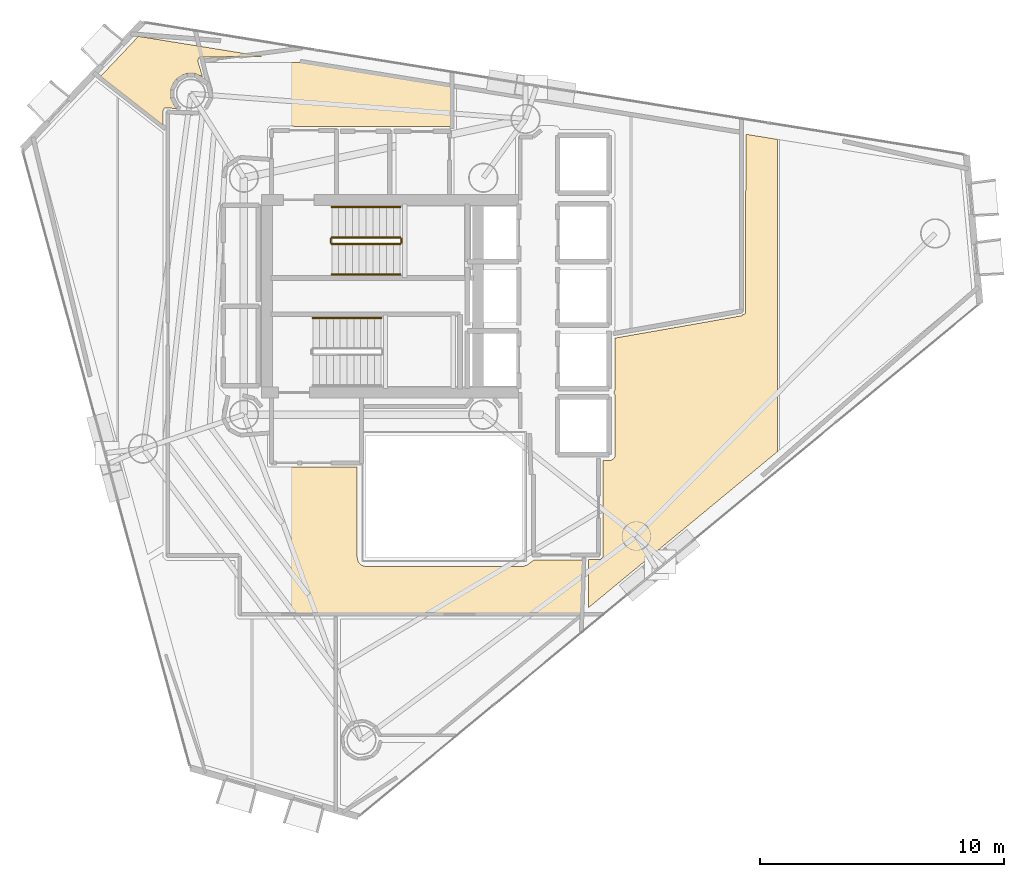
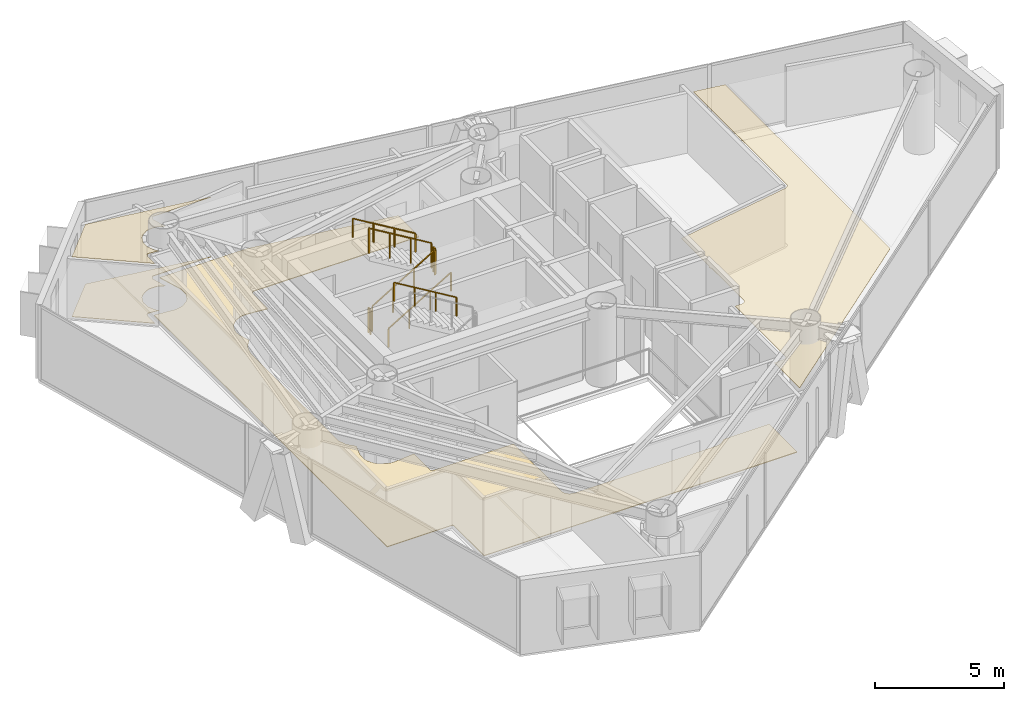
# One storey, part 20 of 21: 7 railings, 4 coverings.
"""IFC4 building model written with IfcOpenShell, lengths in metres."""

from ifc_helpers import new_model, si_unit, direction, frame, origin, origin_2d, place, context, subcontext, project, spatial, polyline, rectangle, outline, extrude, material, layer, layer_set, type_object, element, save


model = new_model("IFC4")

# Units and contexts
model_context = context("Model", 3, precision=1e-05, world=origin(), true_north=direction((0.0, 1.0)))
body_context = subcontext(model_context, "Body", "Model", "MODEL_VIEW")
ifc_project = project(units=[si_unit("LENGTHUNIT", "METRE"), si_unit("AREAUNIT", "SQUARE_METRE"), si_unit("VOLUMEUNIT", "CUBIC_METRE"), si_unit("PLANEANGLEUNIT", "RADIAN"), si_unit("MASSUNIT", "GRAM", prefix="KILO")], contexts=[model_context])

# Site, building, storey
site_placement = place(None, origin())
site = spatial("IfcSite", under=ifc_project, at=site_placement, CompositionType="ELEMENT")
building_placement = place(site_placement, origin())
building = spatial("IfcBuilding", under=site, at=building_placement, Name="Qianvela Tower", CompositionType="ELEMENT")
storey_placement = place(building_placement, frame((0.0, 0.0, 211.39990234375)))
storey = spatial("IfcBuildingStorey", under=building, at=storey_placement, Name="L54", CompositionType="ELEMENT", Elevation=211.39990234375)

# Coverings
ifc_material_1 = material(Name="Perforated Mineral Acoustic Ceiling Tile")
ifc_layer_1 = layer(ifc_material_1, 0.02490234375)
ifc_layer_set_1 = layer_set([ifc_layer_1], Name="Perforated Mineral Acoustic Ceiling Tile")
covering_type_1 = type_object("IfcCoveringType", Name="COV-CEIL-ACOUSTIC-25", PredefinedType="CEILING", material=ifc_layer_set_1)
covering_1_placement = place(storey_placement, frame((0.0, 0.0, 2.815185546875)))
element("IfcCovering", 1, at=covering_1_placement, inside=storey, type_object=covering_type_1, Name="L54 Acoustic Ceiling Student Tea Pantry L54-04", PredefinedType="CEILING", context=body_context, shape_type="SweptSolid", body=[
    extrude(outline(polyline([(25.85986328125, 36.37890625), (25.412109375, 36.414794921875), (25.404296875, 36.4150390625), (25.396484375, 36.41455078125), (25.388916015625, 36.413330078125), (25.38134765625, 36.411376953125), (25.374267578125, 36.40869140625), (25.3671875, 36.405517578125), (25.360595703125, 36.4013671875), (25.3544921875, 36.396728515625), (25.3486328125, 36.3916015625), (25.343505859375, 36.3857421875), (25.339111328125, 36.37939453125), (25.3349609375, 36.372802734375), (25.29931640625, 36.306396484375), (25.296142578125, 36.29931640625), (25.29345703125, 36.291748046875), (25.29150390625, 36.2841796875), (25.290283203125, 36.276611328125), (25.2900390625, 36.2685546875), (25.2900390625, 35.6943359375), (22.728515625, 37.695556640625), (24.28125, 39.3369140625), (29.42919921875, 38.50732421875), (26.833984375, 38.50048828125), (26.826171875, 38.5), (26.818359375, 38.4990234375), (26.810791015625, 38.4970703125), (26.803466796875, 38.494384765625), (26.79638671875, 38.490966796875), (26.78955078125, 38.487060546875), (26.783203125, 38.482421875), (26.777587890625, 38.47705078125), (26.772216796875, 38.47119140625), (26.767578125, 38.465087890625), (26.763671875, 38.458251953125), (26.76025390625, 38.451171875), (26.721435546875, 38.357421875), (26.71875, 38.35009765625), (26.716796875, 38.34228515625), (26.7158203125, 38.334716796875), (26.71533203125, 38.326904296875), (26.7158203125, 38.31884765625), (26.716796875, 38.311279296875), (26.71875, 38.3037109375), (26.90673828125, 37.683349609375), (26.904052734375, 37.685791015625), (26.897705078125, 37.6904296875), (26.890869140625, 37.694580078125), (26.8837890625, 37.69775390625), (26.60986328125, 37.811279296875), (26.6025390625, 37.81396484375), (26.594970703125, 37.81591796875), (26.587158203125, 37.81689453125), (26.579345703125, 37.8173828125), (26.28271484375, 37.8173828125), (26.27490234375, 37.81689453125), (26.26708984375, 37.81591796875), (26.259521484375, 37.81396484375), (26.116943359375, 37.770751953125), (26.109619140625, 37.76806640625), (26.102294921875, 37.7646484375), (26.095703125, 37.7607421875), (25.84912109375, 37.595947265625), (25.8427734375, 37.59130859375), (25.8369140625, 37.5859375), (25.831787109375, 37.580078125), (25.7373046875, 37.465087890625), (25.732666015625, 37.458740234375), (25.728515625, 37.451904296875), (25.72509765625, 37.44482421875), (25.61181640625, 37.1708984375), (25.60888671875, 37.16357421875), (25.607177734375, 37.156005859375), (25.60595703125, 37.148193359375), (25.605712890625, 37.140380859375), (25.605712890625, 36.84375), (25.60595703125, 36.8359375), (25.607177734375, 36.828125), (25.60888671875, 36.820556640625), (25.61181640625, 36.81298828125), (25.72509765625, 36.539306640625), (25.728515625, 36.531982421875), (25.732666015625, 36.525390625), (25.7373046875, 36.51904296875), (25.831787109375, 36.40380859375), (25.8369140625, 36.39794921875), (25.8427734375, 36.392822265625), (25.85986328125, 36.37890625)])), origin(), (0.0, 0.0, 1.0), 0.02490234375),
])
covering_2_placement = place(storey_placement, frame((0.0, 0.0, 2.815185546875)))
element("IfcCovering", 2, at=covering_2_placement, inside=storey, type_object=covering_type_1, Name="L54 Acoustic Ceiling Bay 1 Social Galley Kitchen L54-06", PredefinedType="CEILING", context=body_context, shape_type="SweptSolid", body=[
    extrude(outline(polyline([(43.739501953125, 24.754150390625), (43.789794921875, 24.8486328125), (43.793212890625, 24.855712890625), (43.7958984375, 24.863037109375), (43.7978515625, 24.87060546875), (43.798828125, 24.87841796875), (43.79931640625, 24.88623046875), (43.800048828125, 26.987060546875), (48.959716796875, 27.896728515625), (48.96728515625, 27.8984375), (48.974609375, 27.90087890625), (48.981689453125, 27.904052734375), (48.98828125, 27.90771484375), (48.99462890625, 27.912109375), (49.00048828125, 27.9169921875), (49.005859375, 27.922607421875), (49.010498046875, 27.928466796875), (49.014892578125, 27.93505859375), (49.01806640625, 27.94091796875), (49.08642578125, 27.966552734375), (49.093994140625, 27.9697265625), (49.100830078125, 27.9736328125), (49.107421875, 27.978271484375), (49.113525390625, 27.983642578125), (49.119140625, 27.989501953125), (49.1240234375, 27.995849609375), (49.12841796875, 28.002685546875), (49.1318359375, 28.010009765625), (49.134765625, 28.017578125), (49.13671875, 28.025390625), (49.137939453125, 28.033203125), (49.138427734375, 28.04150390625), (49.14599609375, 35.33056640625), (50.44970703125, 35.12060546875), (50.44970703125, 22.34521484375), (42.709716796875, 15.952880859375), (42.70751953125, 17.920166015625), (43.157958984375, 17.92041015625), (43.165771484375, 17.9208984375), (43.173583984375, 17.921875), (43.18115234375, 17.923828125), (43.1884765625, 17.926513671875), (43.195556640625, 17.9296875), (43.202392578125, 17.933837890625), (43.20849609375, 17.9384765625), (43.21435546875, 17.94384765625), (43.2861328125, 18.015625), (43.29150390625, 18.021484375), (43.296142578125, 18.027587890625), (43.30029296875, 18.034423828125), (43.303466796875, 18.04150390625), (43.30615234375, 18.048828125), (43.30810546875, 18.056640625), (43.30908203125, 18.064208984375), (43.3095703125, 18.072265625), (43.309326171875, 21.980712890625), (43.60791015625, 21.982666015625), (43.615478515625, 21.983154296875), (43.623291015625, 21.984375), (43.630859375, 21.986083984375), (43.637939453125, 21.98876953125), (43.64501953125, 21.9921875), (43.716796875, 22.030517578125), (43.723388671875, 22.034423828125), (43.729736328125, 22.039306640625), (43.735595703125, 22.04443359375), (43.74072265625, 22.05029296875), (43.74560546875, 22.056640625), (43.74951171875, 22.063232421875), (43.787841796875, 22.135009765625), (43.791259765625, 22.14208984375), (43.7939453125, 22.1494140625), (43.7958984375, 22.156982421875), (43.796875, 22.164794921875), (43.79736328125, 22.172607421875), (43.79931640625, 24.61376953125), (43.799072265625, 24.62060546875), (43.798095703125, 24.627685546875), (43.79638671875, 24.634765625), (43.79443359375, 24.641357421875), (43.79150390625, 24.64794921875), (43.751220703125, 24.733154296875), (43.74755859375, 24.739990234375), (43.743408203125, 24.74658203125), (43.73828125, 24.75244140625), (43.739501953125, 24.754150390625)])), origin(), (0.0, 0.0, 1.0), 0.02490234375),
])
ifc_material_2 = material(Name="Engineered Acoustic Oak Timber Flooring", Category="wood")
ifc_layer_2 = layer(ifc_material_2, 0.02001953125)
ifc_layer_set_2 = layer_set([ifc_layer_2], Name="Engineered Acoustic Oak Timber Flooring")
covering_type_2 = type_object("IfcCoveringType", Name="COV-FLOOR-OAK-20", PredefinedType="FLOORING", material=ifc_layer_set_2)
covering_3_placement = place(storey_placement, origin())
element("IfcCovering", 3, at=covering_3_placement, inside=storey, type_object=covering_type_2, Name="L54 Finish Flooring Student Tea Pantry L54-04", PredefinedType="FLOORING", context=body_context, shape_type="SweptSolid", body=[
    extrude(outline(polyline([(25.85986328125, 36.37890625), (25.412109375, 36.414794921875), (25.404296875, 36.4150390625), (25.396484375, 36.41455078125), (25.388916015625, 36.413330078125), (25.38134765625, 36.411376953125), (25.374267578125, 36.40869140625), (25.3671875, 36.405517578125), (25.360595703125, 36.4013671875), (25.3544921875, 36.396728515625), (25.3486328125, 36.3916015625), (25.343505859375, 36.3857421875), (25.339111328125, 36.37939453125), (25.3349609375, 36.372802734375), (25.29931640625, 36.306396484375), (25.296142578125, 36.29931640625), (25.29345703125, 36.291748046875), (25.29150390625, 36.2841796875), (25.290283203125, 36.276611328125), (25.2900390625, 36.2685546875), (25.2900390625, 35.6943359375), (22.728515625, 37.695556640625), (24.28125, 39.3369140625), (29.42919921875, 38.50732421875), (26.833984375, 38.50048828125), (26.826171875, 38.5), (26.818359375, 38.4990234375), (26.810791015625, 38.4970703125), (26.803466796875, 38.494384765625), (26.79638671875, 38.490966796875), (26.78955078125, 38.487060546875), (26.783203125, 38.482421875), (26.777587890625, 38.47705078125), (26.772216796875, 38.47119140625), (26.767578125, 38.465087890625), (26.763671875, 38.458251953125), (26.76025390625, 38.451171875), (26.721435546875, 38.357421875), (26.71875, 38.35009765625), (26.716796875, 38.34228515625), (26.7158203125, 38.334716796875), (26.71533203125, 38.326904296875), (26.7158203125, 38.31884765625), (26.716796875, 38.311279296875), (26.71875, 38.3037109375), (26.90673828125, 37.683349609375), (26.904052734375, 37.685791015625), (26.897705078125, 37.6904296875), (26.890869140625, 37.694580078125), (26.8837890625, 37.69775390625), (26.60986328125, 37.811279296875), (26.6025390625, 37.81396484375), (26.594970703125, 37.81591796875), (26.587158203125, 37.81689453125), (26.579345703125, 37.8173828125), (26.28271484375, 37.8173828125), (26.27490234375, 37.81689453125), (26.26708984375, 37.81591796875), (26.259521484375, 37.81396484375), (26.116943359375, 37.770751953125), (26.109619140625, 37.76806640625), (26.102294921875, 37.7646484375), (26.095703125, 37.7607421875), (25.84912109375, 37.595947265625), (25.8427734375, 37.59130859375), (25.8369140625, 37.5859375), (25.831787109375, 37.580078125), (25.7373046875, 37.465087890625), (25.732666015625, 37.458740234375), (25.728515625, 37.451904296875), (25.72509765625, 37.44482421875), (25.61181640625, 37.1708984375), (25.60888671875, 37.16357421875), (25.607177734375, 37.156005859375), (25.60595703125, 37.148193359375), (25.605712890625, 37.140380859375), (25.605712890625, 36.84375), (25.60595703125, 36.8359375), (25.607177734375, 36.828125), (25.60888671875, 36.820556640625), (25.61181640625, 36.81298828125), (25.72509765625, 36.539306640625), (25.728515625, 36.531982421875), (25.732666015625, 36.525390625), (25.7373046875, 36.51904296875), (25.831787109375, 36.40380859375), (25.8369140625, 36.39794921875), (25.8427734375, 36.392822265625), (25.85986328125, 36.37890625)])), origin(), (0.0, 0.0, 1.0), 0.02001953125),
])
ifc_material_3 = material(Name="Honed Stone Terrazzo Flooring", Category="masonry")
ifc_layer_3 = layer(ifc_material_3, 0.030029296875)
ifc_layer_set_3 = layer_set([ifc_layer_3], Name="Honed Stone Terrazzo Flooring")
covering_type_3 = type_object("IfcCoveringType", Name="COV-FLOOR-TERRAZZO-30", PredefinedType="FLOORING", material=ifc_layer_set_3)
covering_4_placement = place(storey_placement, origin())
element("IfcCovering", 4, at=covering_4_placement, inside=storey, type_object=covering_type_3, Name="L54 Finish Flooring L54 Floor Corridor", PredefinedType="FLOORING", context=body_context, shape_type="SweptSolid", body=[
    extrude(outline(polyline([(27.30908203125, 36.801513671875), (27.311767578125, 36.808837890625), (27.313720703125, 36.81640625), (27.31494140625, 36.82421875), (27.315185546875, 36.83203125), (27.315185546875, 37.152099609375), (27.31494140625, 37.159912109375), (27.313720703125, 37.16748046875), (27.311767578125, 37.17529296875), (26.979736328125, 38.27001953125), (30.902587890625, 38.27001953125), (37.070068359375, 37.2763671875), (37.070068359375, 35.64013671875), (29.68798828125, 35.660888671875), (29.680419921875, 35.660400390625), (29.672607421875, 35.6591796875), (29.664794921875, 35.657470703125), (29.657470703125, 35.65478515625), (29.650390625, 35.6513671875), (29.6435546875, 35.6474609375), (29.63720703125, 35.642578125), (29.63134765625, 35.637451171875), (29.626220703125, 35.631591796875), (29.576171875, 35.57080078125), (29.571533203125, 35.564453125), (29.5673828125, 35.5576171875), (29.564208984375, 35.550537109375), (29.561279296875, 35.543212890625), (29.5595703125, 35.53564453125), (29.558349609375, 35.52783203125), (29.55810546875, 35.52001953125), (29.55810546875, 34.35595703125), (28.60791015625, 34.44970703125), (28.60009765625, 34.449951171875), (28.59228515625, 34.44970703125), (28.43212890625, 34.433837890625), (28.42431640625, 34.4326171875), (28.416748046875, 34.430908203125), (28.409423828125, 34.42822265625), (28.11376953125, 34.3056640625), (28.106689453125, 34.302490234375), (28.10009765625, 34.29833984375), (28.09375, 34.293701171875), (28.087890625, 34.288330078125), (27.861572265625, 34.06201171875), (27.8564453125, 34.056396484375), (27.851806640625, 34.050048828125), (27.84765625, 34.043212890625), (27.84423828125, 34.0361328125), (27.7216796875, 33.740478515625), (27.71923828125, 33.733154296875), (27.71728515625, 33.7255859375), (27.716064453125, 33.7177734375), (27.700439453125, 33.557861328125), (27.699951171875, 33.550048828125), (27.700439453125, 33.542236328125), (27.716064453125, 33.382080078125), (27.71728515625, 33.37451171875), (27.71923828125, 33.36669921875), (27.865478515625, 32.884521484375), (27.60107421875, 32.52685546875), (27.5966796875, 32.5205078125), (27.593017578125, 32.513427734375), (27.590087890625, 32.50634765625), (27.587890625, 32.4990234375), (27.472412109375, 32.0458984375), (27.47119140625, 32.039306640625), (27.47021484375, 32.03271484375), (27.469970703125, 32.026123046875), (27.469970703125, 25.291259765625), (27.47021484375, 25.2841796875), (27.47119140625, 25.27734375), (27.47265625, 25.2705078125), (27.474853515625, 25.263916015625), (27.59326171875, 24.938232421875), (27.59619140625, 24.93115234375), (27.599853515625, 24.92431640625), (27.604248046875, 24.91796875), (27.609130859375, 24.911865234375), (27.89111328125, 24.599853515625), (27.71923828125, 24.033203125), (27.71728515625, 24.025634765625), (27.716064453125, 24.017822265625), (27.7158203125, 24.010009765625), (27.7158203125, 23.68994140625), (27.716064453125, 23.68212890625), (27.71728515625, 23.67431640625), (27.71923828125, 23.666748046875), (27.765869140625, 23.512939453125), (27.7685546875, 23.505615234375), (27.77197265625, 23.49853515625), (27.77587890625, 23.49169921875), (27.95361328125, 23.2255859375), (27.958251953125, 23.219482421875), (27.963623046875, 23.213623046875), (27.969482421875, 23.208251953125), (27.9755859375, 23.20361328125), (28.24169921875, 23.02587890625), (28.24853515625, 23.02197265625), (28.255615234375, 23.0185546875), (28.262939453125, 23.015869140625), (28.416748046875, 22.96923828125), (28.42431640625, 22.96728515625), (28.43212890625, 22.966064453125), (28.59228515625, 22.950439453125), (28.60009765625, 22.949951171875), (28.60791015625, 22.950439453125), (29.55810546875, 23.0439453125), (29.55810546875, 21.780029296875), (29.558349609375, 21.772216796875), (29.5595703125, 21.764404296875), (29.561279296875, 21.7568359375), (29.564208984375, 21.74951171875), (29.5673828125, 21.7421875), (29.571533203125, 21.735595703125), (29.576171875, 21.729248046875), (29.581298828125, 21.723388671875), (29.587158203125, 21.71826171875), (29.593505859375, 21.71337890625), (29.600341796875, 21.70947265625), (29.607421875, 21.7060546875), (29.61474609375, 21.703369140625), (29.622314453125, 21.701416015625), (29.630126953125, 21.700439453125), (29.637939453125, 21.699951171875), (33.239990234375, 21.699951171875), (33.239990234375, 18.0), (33.240478515625, 17.990234375), (33.242431640625, 17.980712890625), (33.275390625, 17.8486328125), (33.277587890625, 17.841796875), (33.2802734375, 17.8349609375), (33.283447265625, 17.82861328125), (33.287353515625, 17.822509765625), (33.29150390625, 17.81689453125), (33.29638671875, 17.811279296875), (33.411376953125, 17.696533203125), (33.41796875, 17.690673828125), (33.4248046875, 17.685791015625), (33.432373046875, 17.681396484375), (33.440185546875, 17.677978515625), (33.448486328125, 17.675537109375), (33.58056640625, 17.642333984375), (33.5869140625, 17.64111328125), (33.593505859375, 17.640380859375), (33.60009765625, 17.639892578125), (40.0, 17.639892578125), (40.006591796875, 17.640380859375), (40.012939453125, 17.64111328125), (40.019287109375, 17.642333984375), (40.1513671875, 17.675537109375), (40.15869140625, 17.677734375), (40.166015625, 17.6806640625), (40.172607421875, 17.68408203125), (40.17919921875, 17.6884765625), (40.45947265625, 17.89306640625), (42.469970703125, 17.899658203125), (42.469970703125, 15.754638671875), (42.43994140625, 15.72998046875), (28.47998046875, 15.72998046875), (28.47998046875, 18.050048828125), (28.4794921875, 18.057861328125), (28.478515625, 18.065673828125), (28.4765625, 18.0732421875), (28.473876953125, 18.08056640625), (28.470703125, 18.087646484375), (28.466552734375, 18.094482421875), (28.4619140625, 18.100830078125), (28.45654296875, 18.106689453125), (28.45068359375, 18.11181640625), (28.4443359375, 18.116455078125), (28.437744140625, 18.12060546875), (28.4306640625, 18.123779296875), (28.423095703125, 18.126708984375), (28.41552734375, 18.12841796875), (28.40771484375, 18.129638671875), (28.39990234375, 18.1298828125), (25.530029296875, 18.1298828125), (25.530029296875, 36.180419921875), (26.423095703125, 36.09228515625), (26.430908203125, 36.092041015625), (26.438720703125, 36.09228515625), (26.446533203125, 36.093505859375), (26.760498046875, 36.156005859375), (26.76806640625, 36.157958984375), (26.775390625, 36.160400390625), (26.782470703125, 36.163818359375), (26.789306640625, 36.16796875), (27.055419921875, 36.345703125), (27.0615234375, 36.350341796875), (27.0673828125, 36.355712890625), (27.07275390625, 36.361328125), (27.174560546875, 36.485595703125), (27.17919921875, 36.491943359375), (27.183349609375, 36.498779296875), (27.186767578125, 36.505859375), (27.30908203125, 36.801513671875)])), origin(), (0.0, 0.0, 1.0), 0.030029296875),
])

# Railings
ifc_material_4 = material(Name="Painted Tubular Steel Q355B", Category="steel")
railing_type_1 = type_object("IfcRailingType", Name="RL-STAIR-GUARD-1200", PredefinedType="GUARDRAIL", material=ifc_material_4)
railing_1_placement = place(storey_placement, frame((32.199951171875, 30.840087890625, 0.168212890625)))
element("IfcRailing", 5, at=railing_1_placement, inside=storey, type_object=railing_type_1, Name="L54 ST-1 stair guard 1", PredefinedType="GUARDRAIL", context=body_context, shape_type="SweptSolid", body=[
    extrude(rectangle(XDim=0.050048828125, YDim=0.0400390625, at=origin_2d()), frame((0.0, 0.0, 1.179931640625), z_axis=(0.857242210791, 0.0, 0.514913383045), x_axis=(0.0, 1.0, 0.0)), (0.0, 0.0, 1.0), 3.266357421875),
    extrude(rectangle(XDim=0.050048828125, YDim=0.050048828125, at=origin_2d()), origin(), (0.0, 0.0, 1.0), 1.159912109375),
    extrude(rectangle(XDim=0.050048828125, YDim=0.050048828125, at=origin_2d()), frame((0.933349609375, 0.0, 0.560546875)), (0.0, 0.0, 1.0), 1.159912109375),
    extrude(rectangle(XDim=0.050048828125, YDim=0.050048828125, at=origin_2d()), frame((1.86669921875, 0.0, 1.121337890625)), (0.0, 0.0, 1.0), 1.159912109375),
    extrude(rectangle(XDim=0.050048828125, YDim=0.050048828125, at=origin_2d()), frame((2.800048828125, 0.0, 1.681884765625)), (0.0, 0.0, 1.0), 1.159912109375),
])
railing_2_placement = place(storey_placement, frame((35.050048828125, 30.889892578125, 1.85009765625)))
element("IfcRailing", 6, at=railing_2_placement, inside=storey, type_object=railing_type_1, Name="L54 ST-1 stair guard 2", PredefinedType="GUARDRAIL", context=body_context, shape_type="SweptSolid", body=[
    extrude(rectangle(XDim=0.050048828125, YDim=0.0400390625, at=origin_2d()), frame((0.0, 0.0, 1.179931640625), z_axis=(0.0, 1.0, 0.0), x_axis=(-1.0, 0.0, 0.0)), (0.0, 0.0, 1.0), 0.16015625),
    extrude(rectangle(XDim=0.050048828125, YDim=0.050048828125, at=origin_2d()), origin(), (0.0, 0.0, 1.0), 1.159912109375),
    extrude(rectangle(XDim=0.050048828125, YDim=0.050048828125, at=origin_2d()), frame((0.0, 0.16015625, 0.0)), (0.0, 0.0, 1.0), 1.159912109375),
])
railing_3_placement = place(storey_placement, frame((35.0, 31.10009765625, 2.018310546875)))
element("IfcRailing", 7, at=railing_3_placement, inside=storey, type_object=railing_type_1, Name="L54 ST-1 stair guard 3", PredefinedType="GUARDRAIL", context=body_context, shape_type="SweptSolid", body=[
    extrude(rectangle(XDim=0.050048828125, YDim=0.0400390625, at=origin_2d()), frame((0.0, 0.0, 1.179931640625), z_axis=(-0.857242210791, 0.0, 0.514913383045), x_axis=(0.0, -1.0, 0.0)), (0.0, 0.0, 1.0), 3.266357421875),
    extrude(rectangle(XDim=0.050048828125, YDim=0.050048828125, at=origin_2d()), origin(), (0.0, 0.0, 1.0), 1.159912109375),
    extrude(rectangle(XDim=0.050048828125, YDim=0.050048828125, at=origin_2d()), frame((-0.933349609375, 0.0, 0.560546875)), (0.0, 0.0, 1.0), 1.159912109375),
    extrude(rectangle(XDim=0.050048828125, YDim=0.050048828125, at=origin_2d()), frame((-1.86669921875, 0.0, 1.121337890625)), (0.0, 0.0, 1.0), 1.159912109375),
    extrude(rectangle(XDim=0.050048828125, YDim=0.050048828125, at=origin_2d()), frame((-2.800048828125, 0.0, 1.681884765625)), (0.0, 0.0, 1.0), 1.159912109375),
])
railing_4_placement = place(storey_placement, frame((32.14990234375, 30.889892578125, 0.0)))
element("IfcRailing", 8, at=railing_4_placement, inside=storey, type_object=railing_type_1, Name="L54 ST-1 stair guard 4", PredefinedType="GUARDRAIL", context=body_context, shape_type="SweptSolid", body=[
    extrude(rectangle(XDim=0.050048828125, YDim=0.0400390625, at=origin_2d()), frame((0.0, 0.0, 1.179931640625), z_axis=(0.0, 1.0, 0.0), x_axis=(-1.0, 0.0, 0.0)), (0.0, 0.0, 1.0), 0.16015625),
    extrude(rectangle(XDim=0.050048828125, YDim=0.050048828125, at=origin_2d()), origin(), (0.0, 0.0, 1.0), 1.159912109375),
    extrude(rectangle(XDim=0.050048828125, YDim=0.050048828125, at=origin_2d()), frame((0.0, 0.16015625, 0.0)), (0.0, 0.0, 1.0), 1.159912109375),
])
ifc_material_5 = material(Name="Brushed Stainless Steel 304", Category="steel")
railing_type_2 = type_object("IfcRailingType", Name="RL-STAIR-HANDRAIL-900", PredefinedType="HANDRAIL", material=ifc_material_5)
railing_5_placement = place(storey_placement, frame((32.199951171875, 29.590087890625, 0.168212890625)))
element("IfcRailing", 9, at=railing_5_placement, inside=storey, type_object=railing_type_2, Name="L54 ST-1 stair handrail 1", PredefinedType="HANDRAIL", context=body_context, shape_type="SweptSolid", body=[
    extrude(rectangle(XDim=0.050048828125, YDim=0.0400390625, at=origin_2d()), frame((0.0, 0.0, 0.8798828125), z_axis=(0.857242210791, 0.0, 0.514913383045), x_axis=(0.0, 1.0, 0.0)), (0.0, 0.0, 1.0), 3.266357421875),
    extrude(rectangle(XDim=0.050048828125, YDim=0.050048828125, at=origin_2d()), origin(), (0.0, 0.0, 1.0), 0.85986328125),
    extrude(rectangle(XDim=0.050048828125, YDim=0.050048828125, at=origin_2d()), frame((0.933349609375, 0.0, 0.560546875)), (0.0, 0.0, 1.0), 0.85986328125),
    extrude(rectangle(XDim=0.050048828125, YDim=0.050048828125, at=origin_2d()), frame((1.86669921875, 0.0, 1.121337890625)), (0.0, 0.0, 1.0), 0.85986328125),
    extrude(rectangle(XDim=0.050048828125, YDim=0.050048828125, at=origin_2d()), frame((2.800048828125, 0.0, 1.681884765625)), (0.0, 0.0, 1.0), 0.85986328125),
])
for number, where, name in (
    (10, (35.0, 32.35009765625, 2.018310546875), "L54 ST-1 stair handrail 2"),
    (11, (34.219970703125, 27.81005859375, 2.018310546875), "L54 ST-2 stair handrail 2"),
):
    element("IfcRailing", number, at=place(storey_placement, frame(where)), inside=storey, type_object=railing_type_2, Name=name, PredefinedType="HANDRAIL", context=body_context, shape_type="SweptSolid", body=[
        extrude(rectangle(XDim=0.050048828125, YDim=0.0400390625, at=origin_2d()), frame((0.0, 0.0, 0.8798828125), z_axis=(-0.857242210791, 0.0, 0.514913383045), x_axis=(0.0, -1.0, 0.0)), (0.0, 0.0, 1.0), 3.266357421875),
        extrude(rectangle(XDim=0.050048828125, YDim=0.050048828125, at=origin_2d()), origin(), (0.0, 0.0, 1.0), 0.85986328125),
        extrude(rectangle(XDim=0.050048828125, YDim=0.050048828125, at=origin_2d()), frame((-0.933349609375, 0.0, 0.560546875)), (0.0, 0.0, 1.0), 0.85986328125),
        extrude(rectangle(XDim=0.050048828125, YDim=0.050048828125, at=origin_2d()), frame((-1.86669921875, 0.0, 1.121337890625)), (0.0, 0.0, 1.0), 0.85986328125),
        extrude(rectangle(XDim=0.050048828125, YDim=0.050048828125, at=origin_2d()), frame((-2.800048828125, 0.0, 1.681884765625)), (0.0, 0.0, 1.0), 0.85986328125),
    ])

save(model, "model.ifc")
